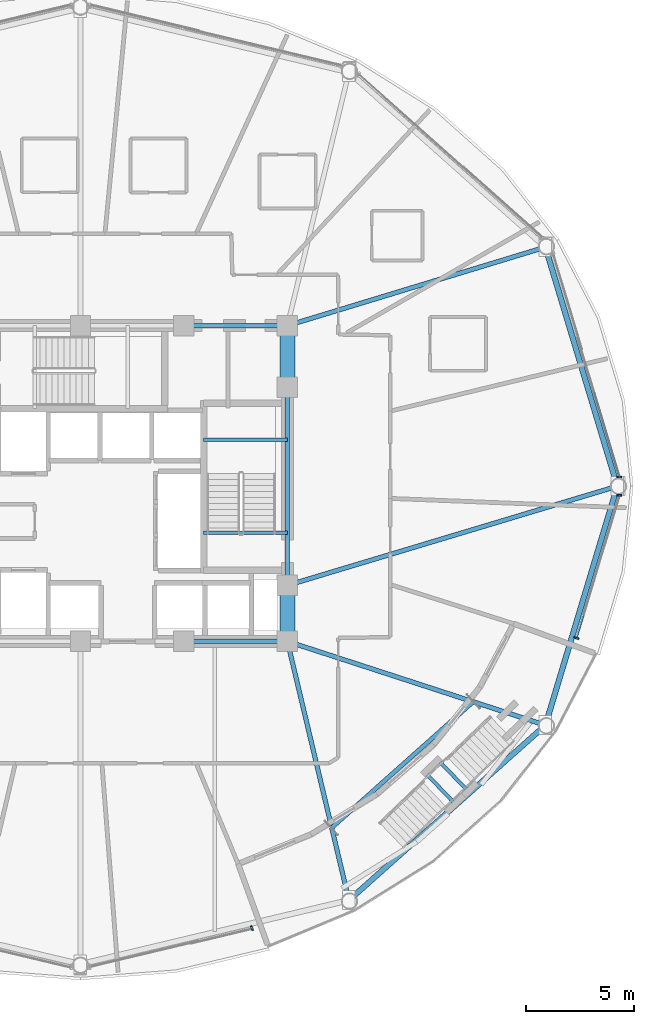
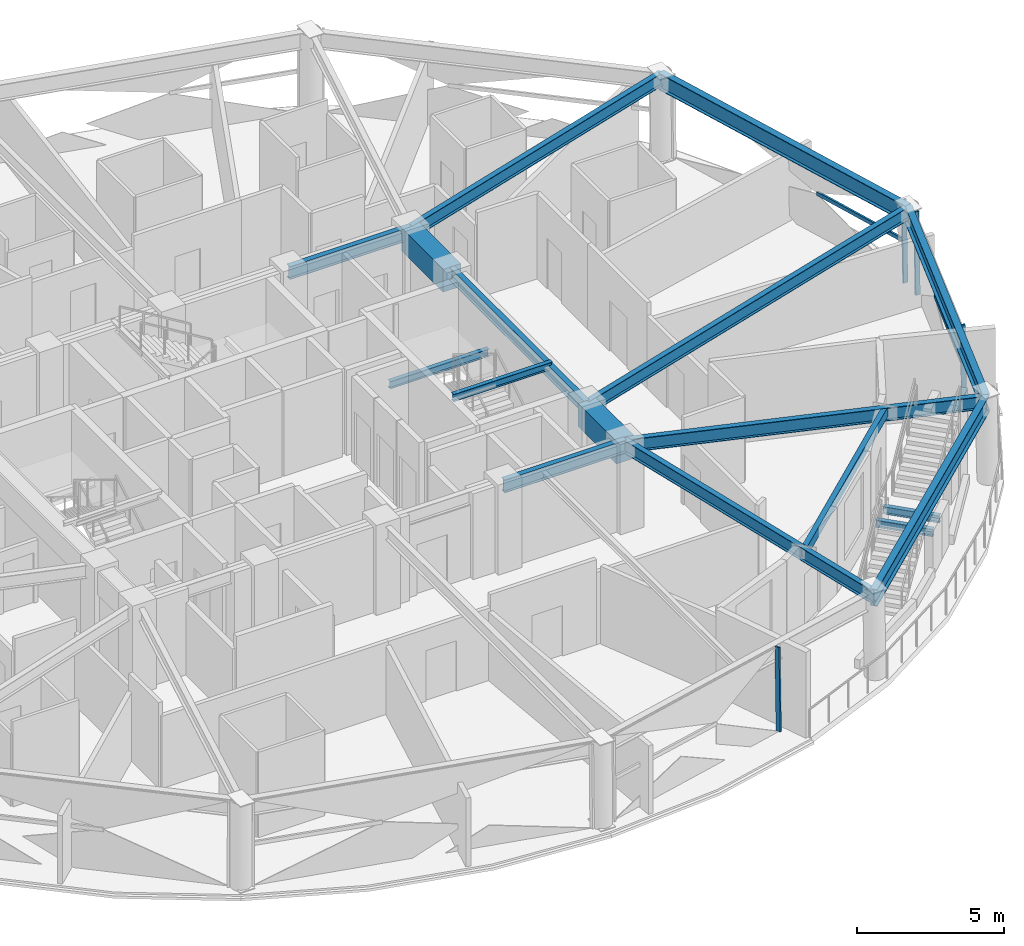
# One storey, part 5 of 18: 17 beams, 6 members, 3 elements without a shape of their own.
"""IFC4 building model written with IfcOpenShell, lengths in metres."""

from ifc_helpers import new_model, si_unit, direction, frame, origin, origin_2d, place, context, subcontext, project, spatial, rectangle, hollow_rectangle, i_section, extrude, material, layer, layer_set, material_profile, profile_set, type_object, element, aggregate, save


model = new_model("IFC4")

# Units and contexts
model_context = context("Model", 3, precision=1e-05, world=origin(), true_north=direction((0.0, 1.0)))
body_context = subcontext(model_context, "Body", "Model", "MODEL_VIEW")
ifc_project = project(units=[si_unit("LENGTHUNIT", "METRE"), si_unit("AREAUNIT", "SQUARE_METRE"), si_unit("VOLUMEUNIT", "CUBIC_METRE"), si_unit("PLANEANGLEUNIT", "RADIAN"), si_unit("MASSUNIT", "GRAM", prefix="KILO")], contexts=[model_context])

# Site, building, storey
site_placement = place(None, origin())
site = spatial("IfcSite", under=ifc_project, at=site_placement, CompositionType="ELEMENT")
building_placement = place(site_placement, origin())
building = spatial("IfcBuilding", under=site, at=building_placement, Name="Vantalir Tower", CompositionType="ELEMENT")
storey_placement = place(building_placement, frame((0.0, 0.0, 138.449951171875)))
storey = spatial("IfcBuildingStorey", under=building, at=storey_placement, Name="L34", CompositionType="ELEMENT", Elevation=138.449951171875)

# Beams
ifc_material_1 = material(Name="Concrete C60/75", Category="concrete")
ifc_material_profile_1 = material_profile(ifc_material_1, rectangle(XDim=0.699951171875, YDim=0.949951171875, at=origin_2d()), Name="Concrete C60/75")
ifc_profile_set_1 = profile_set([ifc_material_profile_1], Name="Concrete C60/75")
beam_type_1 = type_object("IfcBeamType", Name="BM-CB-700x950", PredefinedType="USERDEFINED", material=ifc_profile_set_1)
beam_1_placement = place(storey_placement, frame((41.10009765625, 17.800048828125, 3.094970703125), z_axis=(0.0, 1.0, 0.0), x_axis=(-1.0, 0.0, 0.0)))
element("IfcBeam", 1, at=beam_1_placement, inside=storey, type_object=beam_type_1, Name="L34 Core Coupling Girder 05", ObjectType="GIRDER", PredefinedType="USERDEFINED", context=body_context, shape_type="SweptSolid", body=[
    extrude(rectangle(XDim=0.699951171875, YDim=0.949951171875, at=origin_2d()), origin(), (0.0, 0.0, 1.0), 2.599853515625),
])
beam_2_placement = place(storey_placement, frame((41.10009765625, 29.60009765625, 3.094970703125), z_axis=(0.0, 1.0, 0.0), x_axis=(-1.0, 0.0, 0.0)))
element("IfcBeam", 2, at=beam_2_placement, inside=storey, type_object=beam_type_1, Name="L34 Core Coupling Girder 07", ObjectType="GIRDER", PredefinedType="USERDEFINED", context=body_context, shape_type="SweptSolid", body=[
    extrude(rectangle(XDim=0.699951171875, YDim=0.949951171875, at=origin_2d()), origin(), (0.0, 0.0, 1.0), 2.849853515625),
])
ifc_material_2 = material(Name="Steel S355", Category="steel")
ifc_material_profile_2 = material_profile(ifc_material_2, i_section(OverallWidth=0.166015625, OverallDepth=0.306884765625, WebThickness=0.006591796875, FlangeThickness=0.01171875, at=origin_2d()), Name="Steel S355")
ifc_profile_set_2 = profile_set([ifc_material_profile_2], Name="Steel S355")
beam_type_2 = type_object("IfcBeamType", Name="BM-JS-305x165", PredefinedType="JOIST", material=ifc_profile_set_2)
for number, where, z_axis, x_axis, name in (
    (3, (37.2099609375, 22.8349609375, 3.595947265625), (1.0, 0.0, 0.0), (0.0, 1.0, 0.0), "L35 Stair ST2 Well Nosing Trimmer Beam"),
    (4, (37.2099609375, 27.14501953125, 1.52197265625), (1.0, 0.0, 0.0), (0.0, 1.0, 0.0), "L34 Stair ST2 Half-Landing Support Beam"),
):
    element("IfcBeam", number, at=place(storey_placement, frame(where, z_axis=z_axis, x_axis=x_axis)), inside=storey, type_object=beam_type_2, Name=name, PredefinedType="JOIST", context=body_context, shape_type="SweptSolid", body=[
        extrude(i_section(OverallWidth=0.166015625, OverallDepth=0.306884765625, WebThickness=0.006591796875, FlangeThickness=0.01171875, at=origin_2d()), origin(), (0.0, 0.0, 1.0), 3.89013671875),
    ])
beam_3_placement = place(storey_placement, frame((48.886962890625, 10.259033203125, 1.52197265625), z_axis=(-0.692959714882, 0.720976305818, 0.0), x_axis=(-0.720976305818, -0.692959714882, 0.0)))
element("IfcBeam", 5, at=beam_3_placement, inside=storey, type_object=beam_type_2, Name="L34 Sky Garden Stair SG2 Mid-Landing Bearer 1", PredefinedType="JOIST", context=body_context, shape_type="SweptSolid", body=[
    extrude(i_section(OverallWidth=0.166015625, OverallDepth=0.306884765625, WebThickness=0.006591796875, FlangeThickness=0.01171875, at=origin_2d()), origin(), (0.0, 0.0, 1.0), 2.030517578125),
])
beam_4_placement = place(storey_placement, frame((49.491943359375, 10.842041015625, 1.52197265625), z_axis=(-0.693200056704, 0.720745226405, 0.0), x_axis=(-0.720745226405, -0.693200056704, 0.0)))
element("IfcBeam", 6, at=beam_4_placement, inside=storey, type_object=beam_type_2, Name="L34 Sky Garden Stair SG2 Mid-Landing Bearer 2", PredefinedType="JOIST", context=body_context, shape_type="SweptSolid", body=[
    extrude(i_section(OverallWidth=0.166015625, OverallDepth=0.306884765625, WebThickness=0.006591796875, FlangeThickness=0.01171875, at=origin_2d()), origin(), (0.0, 0.0, 1.0), 2.02978515625),
])
ifc_material_profile_3 = material_profile(ifc_material_2, i_section(OverallWidth=0.2109375, OverallDepth=0.5390625, WebThickness=0.01171875, FlangeThickness=0.018798828125, at=origin_2d()), Name="Steel S355")
ifc_profile_set_3 = profile_set([ifc_material_profile_3], Name="Steel S355")
beam_type_3 = type_object("IfcBeamType", Name="BM-RB-533x210", PredefinedType="BEAM", material=ifc_profile_set_3)
beam_5_placement = place(storey_placement, frame((36.300048828125, 17.800048828125, 3.301025390625), z_axis=(1.0, 0.0, 0.0), x_axis=(0.0, 1.0, 0.0)))
element("IfcBeam", 7, at=beam_5_placement, inside=storey, type_object=beam_type_3, Name="L34 Core Coupling Girder 04", PredefinedType="BEAM", context=body_context, shape_type="SweptSolid", body=[
    extrude(i_section(OverallWidth=0.2109375, OverallDepth=0.5390625, WebThickness=0.01171875, FlangeThickness=0.018798828125, at=origin_2d()), origin(), (0.0, 0.0, 1.0), 4.800048828125),
])
beam_6_placement = place(storey_placement, frame((41.10009765625, 20.39990234375, 3.301025390625), z_axis=(0.0, 1.0, 0.0), x_axis=(-1.0, 0.0, 0.0)))
element("IfcBeam", 8, at=beam_6_placement, inside=storey, type_object=beam_type_3, Name="L34 Core Coupling Girder 06", PredefinedType="BEAM", context=body_context, shape_type="SweptSolid", body=[
    extrude(i_section(OverallWidth=0.2109375, OverallDepth=0.5390625, WebThickness=0.01171875, FlangeThickness=0.018798828125, at=origin_2d()), origin(), (0.0, 0.0, 1.0), 9.2001953125),
])
beam_7_placement = place(storey_placement, frame((41.10009765625, 32.449951171875, 3.301025390625), z_axis=(-1.0, 0.0, 0.0), x_axis=(0.0, -1.0, 0.0)))
element("IfcBeam", 9, at=beam_7_placement, inside=storey, type_object=beam_type_3, Name="L34 Core Coupling Girder 08", PredefinedType="BEAM", context=body_context, shape_type="SweptSolid", body=[
    extrude(i_section(OverallWidth=0.2109375, OverallDepth=0.5390625, WebThickness=0.01171875, FlangeThickness=0.018798828125, at=origin_2d()), origin(), (0.0, 0.0, 1.0), 4.800048828125),
])
beam_8_placement = place(storey_placement, frame((56.406982421875, 25.0, 3.301025390625), z_axis=(-0.957687859706, -0.287808900786, 0.0), x_axis=(0.287808900786, -0.957687859706, 0.0)))
element("IfcBeam", 10, at=beam_8_placement, inside=storey, type_object=beam_type_3, Name="L34 Radial Floor Beam 01", PredefinedType="BEAM", context=body_context, shape_type="SweptSolid", body=[
    extrude(i_section(OverallWidth=0.2109375, OverallDepth=0.5390625, WebThickness=0.01171875, FlangeThickness=0.018798828125, at=origin_2d()), origin(), (0.0, 0.0, 1.0), 15.983154296875),
])
beam_9_placement = place(storey_placement, frame((53.070068359375, 36.090087890625, 3.301025390625), z_axis=(-0.956738373771, -0.290949624771, 0.0), x_axis=(0.290949624771, -0.956738373771, 0.0)))
element("IfcBeam", 11, at=beam_9_placement, inside=storey, type_object=beam_type_3, Name="L34 Radial Floor Beam 02", PredefinedType="BEAM", context=body_context, shape_type="SweptSolid", body=[
    extrude(i_section(OverallWidth=0.2109375, OverallDepth=0.5390625, WebThickness=0.01171875, FlangeThickness=0.018798828125, at=origin_2d()), origin(), (0.0, 0.0, 1.0), 12.51123046875),
])
beam_10_placement = place(storey_placement, frame((43.9541015625, 5.7919921875, 3.301025390625), z_axis=(-0.231232753845, 0.972898460041, 0.0), x_axis=(-0.972898460041, -0.231232753845, 0.0)))
element("IfcBeam", 12, at=beam_10_placement, inside=storey, type_object=beam_type_3, Name="L34 Radial Floor Beam 11", PredefinedType="BEAM", context=body_context, shape_type="SweptSolid", body=[
    extrude(i_section(OverallWidth=0.2109375, OverallDepth=0.5390625, WebThickness=0.01171875, FlangeThickness=0.018798828125, at=origin_2d()), origin(), (0.0, 0.0, 1.0), 12.342529296875),
])
beam_11_placement = place(storey_placement, frame((53.070068359375, 13.909912109375, 3.301025390625), z_axis=(-0.95103649201, 0.309078615996, 0.0), x_axis=(-0.309078615996, -0.95103649201, 0.0)))
element("IfcBeam", 13, at=beam_11_placement, inside=storey, type_object=beam_type_3, Name="L34 Radial Floor Beam 12", PredefinedType="BEAM", context=body_context, shape_type="SweptSolid", body=[
    extrude(i_section(OverallWidth=0.2109375, OverallDepth=0.5390625, WebThickness=0.01171875, FlangeThickness=0.018798828125, at=origin_2d()), origin(), (0.0, 0.0, 1.0), 12.586181640625),
])
ifc_material_3 = material(Name="Steel S460", Category="steel")
ifc_material_profile_4 = material_profile(ifc_material_3, i_section(OverallWidth=0.256103515625, OverallDepth=0.693115234375, WebThickness=0.014404296875, FlangeThickness=0.023681640625, at=origin_2d()), Name="Steel S460")
ifc_profile_set_4 = profile_set([ifc_material_profile_4], Name="Steel S460")
beam_type_4 = type_object("IfcBeamType", Name="BM-RG-686x254", PredefinedType="USERDEFINED", material=ifc_profile_set_4)
beam_12_placement = place(storey_placement, frame((56.406982421875, 25.0, 3.22412109375), z_axis=(-0.288131063354, 0.957590982795, 0.0), x_axis=(-0.957590982795, -0.288131063354, 0.0)))
element("IfcBeam", 14, at=beam_12_placement, inside=storey, type_object=beam_type_4, Name="L34 Circumferential Ring Girder 01", ObjectType="GIRDER", PredefinedType="USERDEFINED", context=body_context, shape_type="SweptSolid", body=[
    extrude(i_section(OverallWidth=0.256103515625, OverallDepth=0.693115234375, WebThickness=0.014404296875, FlangeThickness=0.023681640625, at=origin_2d()), origin(), (0.0, 0.0, 1.0), 11.581298828125),
])
beam_13_placement = place(storey_placement, frame((43.9541015625, 5.7919921875, 3.22412109375), z_axis=(0.746805403466, 0.665042622209, 0.0), x_axis=(-0.665042622209, 0.746805403466, 0.0)))
element("IfcBeam", 15, at=beam_13_placement, inside=storey, type_object=beam_type_4, Name="L34 Circumferential Ring Girder 11", ObjectType="GIRDER", PredefinedType="USERDEFINED", context=body_context, shape_type="SweptSolid", body=[
    extrude(i_section(OverallWidth=0.256103515625, OverallDepth=0.693115234375, WebThickness=0.014404296875, FlangeThickness=0.023681640625, at=origin_2d()), origin(), (0.0, 0.0, 1.0), 12.20654296875),
])
beam_14_placement = place(storey_placement, frame((53.070068359375, 13.909912109375, 3.22412109375), z_axis=(0.288131063354, 0.957590982795, 0.0), x_axis=(-0.957590982795, 0.288131063354, 0.0)))
element("IfcBeam", 16, at=beam_14_placement, inside=storey, type_object=beam_type_4, Name="L34 Circumferential Ring Girder 12", ObjectType="GIRDER", PredefinedType="USERDEFINED", context=body_context, shape_type="SweptSolid", body=[
    extrude(i_section(OverallWidth=0.256103515625, OverallDepth=0.693115234375, WebThickness=0.014404296875, FlangeThickness=0.023681640625, at=origin_2d()), origin(), (0.0, 0.0, 1.0), 11.581298828125),
])
ifc_material_profile_5 = material_profile(ifc_material_2, hollow_rectangle(XDim=0.199951171875, YDim=0.39990234375, WallThickness=0.01611328125, at=origin_2d()), Name="Steel S355")
ifc_profile_set_5 = profile_set([ifc_material_profile_5], Name="Steel S355")
beam_type_5 = type_object("IfcBeamType", Name="BM-SP-400x200", PredefinedType="LINTEL", material=ifc_profile_set_5)
beam_15_placement = place(storey_placement, frame((43.155029296875, 9.154052734375, 3.3701171875), z_axis=(0.746775983673, 0.665075657508, 0.0), x_axis=(-0.665075657508, 0.746775983673, 0.0)))
element("IfcBeam", 17, at=beam_15_placement, inside=storey, type_object=beam_type_5, Name="L34 SG2 Recessed Edge Lintel 1", PredefinedType="LINTEL", context=body_context, shape_type="SweptSolid", body=[
    extrude(hollow_rectangle(XDim=0.199951171875, YDim=0.39990234375, WallThickness=0.01611328125, at=origin_2d()), origin(), (0.0, 0.0, 1.0), 8.788330078125),
])

# Curtain wall, member
ifc_material_4 = material(Name="Champagne-silver PVDF aluminium and double-silver Low-E glass", Category="aluminium")
ifc_layer = layer(ifc_material_4, 0.199951171875)
ifc_layer_set = layer_set([ifc_layer], Name="Champagne-silver PVDF aluminium and double-silver Low-E glass")
curtain_wall_type = type_object("IfcCurtainWallType", Name="CW-DIAMOND-Z2", PredefinedType="USERDEFINED", material=ifc_layer_set)
curtain_wall_1_placement = place(storey_placement, origin())
curtain_wall_1 = element("IfcCurtainWall", 18, at=curtain_wall_1_placement, inside=storey, type_object=curtain_wall_type, Name="L34 Quilted Pyramid-Diamond Curtain Wall S01", ObjectType="UNITISED CURTAIN WALL", PredefinedType="USERDEFINED")
ifc_material_5 = material(Name="Champagne-silver PVDF aluminium 6063-T6", Category="aluminium")
ifc_material_profile_6 = material_profile(ifc_material_5, hollow_rectangle(XDim=0.074951171875, YDim=0.179931640625, WallThickness=0.00390625, at=origin_2d()), Name="Champagne-silver PVDF aluminium 6063-T6")
ifc_profile_set_6 = profile_set([ifc_material_profile_6], Name="Champagne-silver PVDF aluminium 6063-T6")
member_type_1 = type_object("IfcMemberType", Name="CWM-180x75", PredefinedType="MULLION", material=ifc_profile_set_6)
member_1_placement = place(storey_placement, frame((56.531982421875, 25.4208984375, 0.045166015625), z_axis=(-0.017816730913, 0.0, 0.999841269452), x_axis=(0.0, -1.0, 0.0)))
member_1 = element("IfcMember", 19, at=member_1_placement, type_object=member_type_1, Name="CW-L34-S01 Mullion 1", PredefinedType="MULLION", context=body_context, shape_type="SweptSolid", body=[
    extrude(hollow_rectangle(XDim=0.074951171875, YDim=0.179931640625, WallThickness=0.00390625, at=origin_2d()), origin(), (0.0, 0.0, 1.0), 3.48046875),
])

curtain_wall_2_placement = place(storey_placement, origin())
curtain_wall_2 = element("IfcCurtainWall", 20, at=curtain_wall_2_placement, inside=storey, type_object=curtain_wall_type, Name="L34 Quilted Pyramid-Diamond Curtain Wall S10", ObjectType="UNITISED CURTAIN WALL", PredefinedType="USERDEFINED")
member_2_placement = place(storey_placement, frame((39.458984375, 4.47509765625, 0.045166015625), z_axis=(-0.006032642093, 0.014590576225, 0.999875353389), x_axis=(-0.924125049005, -0.382090164492, 0.0)))
member_2 = element("IfcMember", 21, at=member_2_placement, type_object=member_type_1, Name="CW-L34-S10 Mullion 2", PredefinedType="MULLION", context=body_context, shape_type="SweptSolid", body=[
    extrude(hollow_rectangle(XDim=0.074951171875, YDim=0.179931640625, WallThickness=0.00390625, at=origin_2d()), origin(), (0.0, 0.0, 1.0), 3.48046875),
])
aggregate(curtain_wall_2, [member_2])

# Curtain wall, members
curtain_wall_3_placement = place(storey_placement, origin())
curtain_wall_3 = element("IfcCurtainWall", 22, at=curtain_wall_3_placement, inside=storey, type_object=curtain_wall_type, Name="L34 Quilted Pyramid-Diamond Curtain Wall S12", ObjectType="UNITISED CURTAIN WALL", PredefinedType="USERDEFINED")
member_3_placement = place(storey_placement, frame((54.5380859375, 17.946044921875, 0.045166015625), z_axis=(-0.016133479845, 0.005471354035, 0.999854877026), x_axis=(-0.321164468818, -0.947023433696, 0.0)))
member_3 = element("IfcMember", 23, at=member_3_placement, type_object=member_type_1, Name="CW-L34-S12 Mullion 1", PredefinedType="MULLION", context=body_context, shape_type="SweptSolid", body=[
    extrude(hollow_rectangle(XDim=0.074951171875, YDim=0.179931640625, WallThickness=0.00390625, at=origin_2d()), origin(), (0.0, 0.0, 1.0), 3.48046875),
])
member_4_placement = place(storey_placement, frame((56.531982421875, 24.5791015625, 0.045166015625), z_axis=(-0.017816730913, 0.0, 0.999841269452), x_axis=(0.0, -1.0, 0.0)))
member_4 = element("IfcMember", 24, at=member_4_placement, type_object=member_type_1, Name="CW-L34-S12 Mullion 2", PredefinedType="MULLION", context=body_context, shape_type="SweptSolid", body=[
    extrude(hollow_rectangle(XDim=0.074951171875, YDim=0.179931640625, WallThickness=0.00390625, at=origin_2d()), origin(), (0.0, 0.0, 1.0), 3.48046875),
])

# Member
ifc_material_profile_7 = material_profile(ifc_material_5, hollow_rectangle(XDim=0.074951171875, YDim=0.159912109375, WallThickness=0.00390625, at=origin_2d()), Name="Champagne-silver PVDF aluminium 6063-T6")
ifc_profile_set_7 = profile_set([ifc_material_profile_7], Name="Champagne-silver PVDF aluminium 6063-T6")
member_type_2 = type_object("IfcMemberType", Name="CWT-160x75", PredefinedType="USERDEFINED", material=ifc_profile_set_7)
member_5_placement = place(storey_placement, frame((56.5009765625, 25.4208984375, 1.78515625), z_axis=(-0.282179197122, 0.959361715263, 0.0), x_axis=(-0.959361715263, -0.282179197122, 0.0)))
member_5 = element("IfcMember", 25, at=member_5_placement, type_object=member_type_2, Name="CW-L34-S01 Pyramid Fold Ridge Transom", ObjectType="TRANSOM", PredefinedType="USERDEFINED", context=body_context, shape_type="SweptSolid", body=[
    extrude(hollow_rectangle(XDim=0.074951171875, YDim=0.159912109375, WallThickness=0.00390625, at=origin_2d()), origin(), (0.0, 0.0, 1.0), 4.107177734375),
])

aggregate(curtain_wall_1, [member_1, member_5])

member_6_placement = place(storey_placement, frame((54.510009765625, 17.955078125, 1.78515625), z_axis=(0.293290457067, 0.956023382451, 0.0), x_axis=(-0.956023382451, 0.293290457067, 0.0)))
member_6 = element("IfcMember", 26, at=member_6_placement, type_object=member_type_2, Name="CW-L34-S12 Pyramid Fold Ridge Transom", ObjectType="TRANSOM", PredefinedType="USERDEFINED", context=body_context, shape_type="SweptSolid", body=[
    extrude(hollow_rectangle(XDim=0.074951171875, YDim=0.159912109375, WallThickness=0.00390625, at=origin_2d()), origin(), (0.0, 0.0, 1.0), 4.292724609375),
])

aggregate(curtain_wall_3, [member_3, member_4, member_6])

save(model, "model.ifc")
